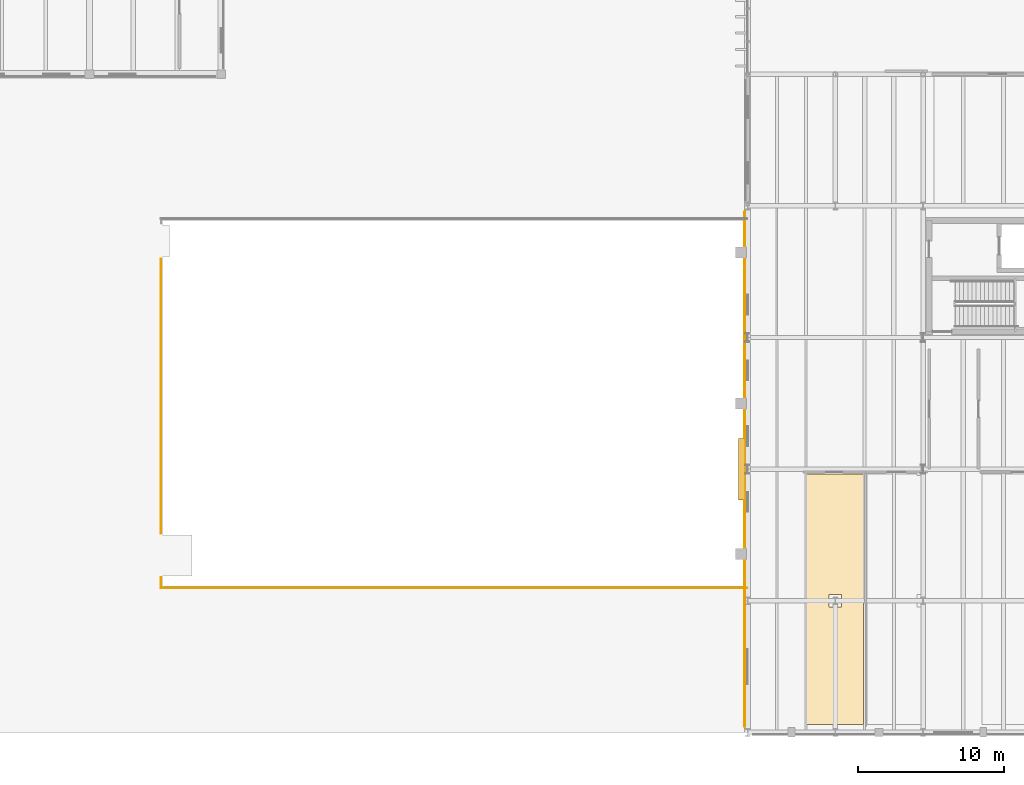
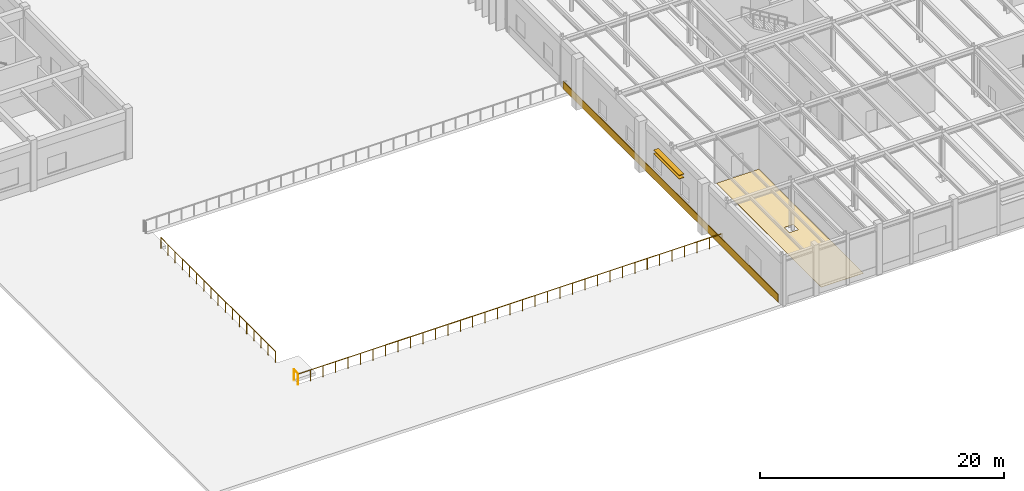
# One storey, part 49 of 64: 3 railings, 2 coverings, 2 shading devices.
"""IFC4 building model written with IfcOpenShell, lengths in metres."""

from ifc_helpers import new_model, si_unit, direction, frame, origin, origin_2d, place, context, subcontext, project, spatial, polyline, rectangle, circle, outline, extrude, material, layer, layer_set, type_object, element, save


model = new_model("IFC4")

# Units and contexts
model_context = context("Model", 3, precision=1e-05, world=origin(), true_north=direction((0.0, 1.0)))
body_context = subcontext(model_context, "Body", "Model", "MODEL_VIEW")
ifc_project = project(units=[si_unit("LENGTHUNIT", "METRE"), si_unit("AREAUNIT", "SQUARE_METRE"), si_unit("VOLUMEUNIT", "CUBIC_METRE"), si_unit("PLANEANGLEUNIT", "RADIAN"), si_unit("MASSUNIT", "GRAM", prefix="KILO")], contexts=[model_context])

# Site, building, storey
site_placement = place(None, origin())
site = spatial("IfcSite", under=ifc_project, at=site_placement, CompositionType="ELEMENT")
building_placement = place(site_placement, origin())
building = spatial("IfcBuilding", under=site, at=building_placement, Name="Montealbar Specialist Clinic", CompositionType="ELEMENT")
storey_placement = place(building_placement, origin())
storey = spatial("IfcBuildingStorey", under=building, at=storey_placement, Name="L00", CompositionType="ELEMENT", Elevation=0.0)

# Coverings
ifc_material_1 = material(Name="Guadarrama granite ashlar", Category="masonry")
ifc_layer_1 = layer(ifc_material_1, 0.06005859375, Name="Guadarrama granite ashlar", Category="masonry")
ifc_layer_set_1 = layer_set([ifc_layer_1], Name="Guadarrama granite ashlar")
covering_type_1 = type_object("IfcCoveringType", Name="COV-CLAD-GRANITE", PredefinedType="CLADDING", material=ifc_layer_set_1)
covering_1_placement = place(storey_placement, frame((53.797119140625, 18.0, 0.02978515625), z_axis=(0.0, 0.0, 1.0), x_axis=(0.0, 1.0, 0.0)))
element("IfcCovering", 1, at=covering_1_placement, inside=storey, type_object=covering_type_1, Name="Facade Plinth Cladding Band L00-002", PredefinedType="CLADDING", context=body_context, shape_type="SweptSolid", body=[
    extrude(rectangle(XDim=35.199951171875, YDim=0.06005859375, at=origin_2d()), origin(), (0.0, 0.0, 1.0), 0.780029296875),
])
ifc_material_2 = material(Name="Antimicrobial clinical linoleum", Category="wood")
ifc_layer_2 = layer(ifc_material_2, 0.02001953125, Name="Antimicrobial clinical linoleum", Category="wood")
ifc_layer_set_2 = layer_set([ifc_layer_2], Name="Antimicrobial clinical linoleum")
covering_type_2 = type_object("IfcCoveringType", Name="COV-FLR-LINOLEUM", PredefinedType="FLOORING", material=ifc_layer_set_2)
covering_2_placement = place(storey_placement, origin())
element("IfcCovering", 2, at=covering_2_placement, inside=storey, type_object=covering_type_2, Name="Clinical Flooring Specialist Consulting Room L00-01", PredefinedType="FLOORING", context=body_context, shape_type="SweptSolid", body=[
    extrude(outline(polyline([(57.929931640625, 17.669921875), (61.919921875, 17.669921875), (61.919921875, 0.530029296875), (57.929931640625, 0.530029296875), (57.929931640625, 17.669921875)]), holes=[polyline([(60.419921875, 9.419921875), (59.580078125, 9.419921875), (59.580078125, 8.580078125), (60.419921875, 8.580078125), (60.419921875, 9.419921875)])]), origin(), (0.0, 0.0, 1.0), 0.02001953125),
])

# Railings
ifc_material_3 = material(Name="Steel S355", Category="steel")
ifc_layer_3 = layer(ifc_material_3, 0.06005859375, Name="Steel S355", Category="steel")
ifc_layer_set_3 = layer_set([ifc_layer_3], Name="Steel S355")
railing_type = type_object("IfcRailingType", Name="RAIL-EXT-BAL-1100", PredefinedType="BALUSTRADE", material=ifc_layer_set_3)
railing_1_placement = place(storey_placement, frame((13.8798828125, 9.8798828125, 0.0)))
element("IfcRailing", 3, at=railing_1_placement, inside=storey, type_object=railing_type, Name="Sunken Metro Forecourt Balustrade S", PredefinedType="BALUSTRADE", context=body_context, shape_type="SweptSolid", body=[
    extrude(circle(Radius=0.02392578125, at=origin_2d()), frame((0.0, 0.0, 1.09619140625), z_axis=(1.0, 0.0, 0.0), x_axis=(0.0, 1.0, 0.0)), (0.0, 0.0, 1.0), 40.070068359375),
    extrude(circle(Radius=0.02099609375, at=origin_2d()), frame((0.0, 0.0, -0.02490234375)), (0.0, 0.0, 1.0), 1.096923828125),
    extrude(circle(Radius=0.02099609375, at=origin_2d()), frame((1.178466796875, 0.0, -0.02490234375)), (0.0, 0.0, 1.0), 1.096923828125),
    extrude(circle(Radius=0.02099609375, at=origin_2d()), frame((2.357177734375, 0.0, -0.02490234375)), (0.0, 0.0, 1.0), 1.096923828125),
    extrude(circle(Radius=0.02099609375, at=origin_2d()), frame((3.53564453125, 0.0, -0.02490234375)), (0.0, 0.0, 1.0), 1.096923828125),
    extrude(circle(Radius=0.02099609375, at=origin_2d()), frame((4.714111328125, 0.0, -0.02490234375)), (0.0, 0.0, 1.0), 1.096923828125),
    extrude(circle(Radius=0.02099609375, at=origin_2d()), frame((5.892578125, 0.0, -0.02490234375)), (0.0, 0.0, 1.0), 1.096923828125),
    extrude(circle(Radius=0.02099609375, at=origin_2d()), frame((7.0712890625, 0.0, -0.02490234375)), (0.0, 0.0, 1.0), 1.096923828125),
    extrude(circle(Radius=0.02099609375, at=origin_2d()), frame((8.249755859375, 0.0, -0.02490234375)), (0.0, 0.0, 1.0), 1.096923828125),
    extrude(circle(Radius=0.02099609375, at=origin_2d()), frame((9.42822265625, 0.0, -0.02490234375)), (0.0, 0.0, 1.0), 1.096923828125),
    extrude(circle(Radius=0.02099609375, at=origin_2d()), frame((10.606689453125, 0.0, -0.02490234375)), (0.0, 0.0, 1.0), 1.096923828125),
    extrude(circle(Radius=0.02099609375, at=origin_2d()), frame((11.785400390625, 0.0, -0.02490234375)), (0.0, 0.0, 1.0), 1.096923828125),
    extrude(circle(Radius=0.02099609375, at=origin_2d()), frame((12.9638671875, 0.0, -0.02490234375)), (0.0, 0.0, 1.0), 1.096923828125),
    extrude(circle(Radius=0.02099609375, at=origin_2d()), frame((14.142333984375, 0.0, -0.02490234375)), (0.0, 0.0, 1.0), 1.096923828125),
    extrude(circle(Radius=0.02099609375, at=origin_2d()), frame((15.32080078125, 0.0, -0.02490234375)), (0.0, 0.0, 1.0), 1.096923828125),
    extrude(circle(Radius=0.02099609375, at=origin_2d()), frame((16.49951171875, 0.0, -0.02490234375)), (0.0, 0.0, 1.0), 1.096923828125),
    extrude(circle(Radius=0.02099609375, at=origin_2d()), frame((17.677978515625, 0.0, -0.02490234375)), (0.0, 0.0, 1.0), 1.096923828125),
    extrude(circle(Radius=0.02099609375, at=origin_2d()), frame((18.8564453125, 0.0, -0.02490234375)), (0.0, 0.0, 1.0), 1.096923828125),
    extrude(circle(Radius=0.02099609375, at=origin_2d()), frame((20.03515625, 0.0, -0.02490234375)), (0.0, 0.0, 1.0), 1.096923828125),
    extrude(circle(Radius=0.02099609375, at=origin_2d()), frame((21.213623046875, 0.0, -0.02490234375)), (0.0, 0.0, 1.0), 1.096923828125),
    extrude(circle(Radius=0.02099609375, at=origin_2d()), frame((22.39208984375, 0.0, -0.02490234375)), (0.0, 0.0, 1.0), 1.096923828125),
    extrude(circle(Radius=0.02099609375, at=origin_2d()), frame((23.570556640625, 0.0, -0.02490234375)), (0.0, 0.0, 1.0), 1.096923828125),
    extrude(circle(Radius=0.02099609375, at=origin_2d()), frame((24.749267578125, 0.0, -0.02490234375)), (0.0, 0.0, 1.0), 1.096923828125),
    extrude(circle(Radius=0.02099609375, at=origin_2d()), frame((25.927734375, 0.0, -0.02490234375)), (0.0, 0.0, 1.0), 1.096923828125),
    extrude(circle(Radius=0.02099609375, at=origin_2d()), frame((27.106201171875, 0.0, -0.02490234375)), (0.0, 0.0, 1.0), 1.096923828125),
    extrude(circle(Radius=0.02099609375, at=origin_2d()), frame((28.28466796875, 0.0, -0.02490234375)), (0.0, 0.0, 1.0), 1.096923828125),
    extrude(circle(Radius=0.02099609375, at=origin_2d()), frame((29.46337890625, 0.0, -0.02490234375)), (0.0, 0.0, 1.0), 1.096923828125),
    extrude(circle(Radius=0.02099609375, at=origin_2d()), frame((30.641845703125, 0.0, -0.02490234375)), (0.0, 0.0, 1.0), 1.096923828125),
    extrude(circle(Radius=0.02099609375, at=origin_2d()), frame((31.8203125, 0.0, -0.02490234375)), (0.0, 0.0, 1.0), 1.096923828125),
    extrude(circle(Radius=0.02099609375, at=origin_2d()), frame((32.998779296875, 0.0, -0.02490234375)), (0.0, 0.0, 1.0), 1.096923828125),
    extrude(circle(Radius=0.02099609375, at=origin_2d()), frame((34.177490234375, 0.0, -0.02490234375)), (0.0, 0.0, 1.0), 1.096923828125),
    extrude(circle(Radius=0.02099609375, at=origin_2d()), frame((35.35595703125, 0.0, -0.02490234375)), (0.0, 0.0, 1.0), 1.096923828125),
    extrude(circle(Radius=0.02099609375, at=origin_2d()), frame((36.534423828125, 0.0, -0.02490234375)), (0.0, 0.0, 1.0), 1.096923828125),
    extrude(circle(Radius=0.02099609375, at=origin_2d()), frame((37.712890625, 0.0, -0.02490234375)), (0.0, 0.0, 1.0), 1.096923828125),
    extrude(circle(Radius=0.02099609375, at=origin_2d()), frame((38.8916015625, 0.0, -0.02490234375)), (0.0, 0.0, 1.0), 1.096923828125),
    extrude(circle(Radius=0.02099609375, at=origin_2d()), frame((40.070068359375, 0.0, -0.02490234375)), (0.0, 0.0, 1.0), 1.096923828125),
])
railing_2_placement = place(storey_placement, frame((13.8798828125, 13.6201171875, 0.0)))
element("IfcRailing", 4, at=railing_2_placement, inside=storey, type_object=railing_type, Name="Sunken Metro Forecourt Balustrade W-MID", PredefinedType="BALUSTRADE", context=body_context, shape_type="SweptSolid", body=[
    extrude(circle(Radius=0.02392578125, at=origin_2d()), frame((0.0, 0.0, 1.09619140625), z_axis=(0.0, 1.0, 0.0), x_axis=(-1.0, 0.0, 0.0)), (0.0, 0.0, 1.0), 18.759765625),
    extrude(circle(Radius=0.02099609375, at=origin_2d()), frame((0.0, 0.0, -0.02490234375)), (0.0, 0.0, 1.0), 1.096923828125),
    extrude(circle(Radius=0.02099609375, at=origin_2d()), frame((0.0, 1.17236328125, -0.02490234375)), (0.0, 0.0, 1.0), 1.096923828125),
    extrude(circle(Radius=0.02099609375, at=origin_2d()), frame((0.0, 2.344970703125, -0.02490234375)), (0.0, 0.0, 1.0), 1.096923828125),
    extrude(circle(Radius=0.02099609375, at=origin_2d()), frame((0.0, 3.517578125, -0.02490234375)), (0.0, 0.0, 1.0), 1.096923828125),
    extrude(circle(Radius=0.02099609375, at=origin_2d()), frame((0.0, 4.68994140625, -0.02490234375)), (0.0, 0.0, 1.0), 1.096923828125),
    extrude(circle(Radius=0.02099609375, at=origin_2d()), frame((0.0, 5.8623046875, -0.02490234375)), (0.0, 0.0, 1.0), 1.096923828125),
    extrude(circle(Radius=0.02099609375, at=origin_2d()), frame((0.0, 7.034912109375, -0.02490234375)), (0.0, 0.0, 1.0), 1.096923828125),
    extrude(circle(Radius=0.02099609375, at=origin_2d()), frame((0.0, 8.20751953125, -0.02490234375)), (0.0, 0.0, 1.0), 1.096923828125),
    extrude(circle(Radius=0.02099609375, at=origin_2d()), frame((0.0, 9.3798828125, -0.02490234375)), (0.0, 0.0, 1.0), 1.096923828125),
    extrude(circle(Radius=0.02099609375, at=origin_2d()), frame((0.0, 10.55224609375, -0.02490234375)), (0.0, 0.0, 1.0), 1.096923828125),
    extrude(circle(Radius=0.02099609375, at=origin_2d()), frame((0.0, 11.724853515625, -0.02490234375)), (0.0, 0.0, 1.0), 1.096923828125),
    extrude(circle(Radius=0.02099609375, at=origin_2d()), frame((0.0, 12.8974609375, -0.02490234375)), (0.0, 0.0, 1.0), 1.096923828125),
    extrude(circle(Radius=0.02099609375, at=origin_2d()), frame((0.0, 14.06982421875, -0.02490234375)), (0.0, 0.0, 1.0), 1.096923828125),
    extrude(circle(Radius=0.02099609375, at=origin_2d()), frame((0.0, 15.2421875, -0.02490234375)), (0.0, 0.0, 1.0), 1.096923828125),
    extrude(circle(Radius=0.02099609375, at=origin_2d()), frame((0.0, 16.414794921875, -0.02490234375)), (0.0, 0.0, 1.0), 1.096923828125),
    extrude(circle(Radius=0.02099609375, at=origin_2d()), frame((0.0, 17.58740234375, -0.02490234375)), (0.0, 0.0, 1.0), 1.096923828125),
    extrude(circle(Radius=0.02099609375, at=origin_2d()), frame((0.0, 18.759765625, -0.02490234375)), (0.0, 0.0, 1.0), 1.096923828125),
])
railing_3_placement = place(storey_placement, frame((13.8798828125, 9.8798828125, 0.0)))
element("IfcRailing", 5, at=railing_3_placement, inside=storey, type_object=railing_type, Name="Sunken Metro Forecourt Balustrade W-S", PredefinedType="BALUSTRADE", context=body_context, shape_type="SweptSolid", body=[
    extrude(circle(Radius=0.02392578125, at=origin_2d()), frame((0.0, 0.0, 1.09619140625), z_axis=(0.0, 1.0, 0.0), x_axis=(-1.0, 0.0, 0.0)), (0.0, 0.0, 1.0), 0.72021484375),
    extrude(circle(Radius=0.02099609375, at=origin_2d()), frame((0.0, 0.0, -0.02490234375)), (0.0, 0.0, 1.0), 1.096923828125),
    extrude(circle(Radius=0.02099609375, at=origin_2d()), frame((0.0, 0.72021484375, -0.02490234375)), (0.0, 0.0, 1.0), 1.096923828125),
])

# Shading devices
ifc_material_4 = material(Name="Powder-coated aluminium", Category="aluminium")
ifc_layer_4 = layer(ifc_material_4, 0.050048828125, Name="Powder-coated aluminium", Category="aluminium")
ifc_layer_set_4 = layer_set([ifc_layer_4], Name="Powder-coated aluminium")
shading_device_type = type_object("IfcShadingDeviceType", Name="SHD-LOUVRE-450", PredefinedType="JALOUSIE", material=ifc_layer_set_4)
for number, where, z_axis, x_axis, name in (
    (6, (53.60498046875, 18.0, 3.0751953125), (0.0, 0.0, 1.0), (0.0, 1.0, 0.0), "Entrance Canopy Sun Louvre LV-03"),
    (7, (53.60498046875, 18.0, 3.4248046875), (0.0, 0.0, 1.0), (0.0, 1.0, 0.0), "Entrance Canopy Sun Louvre LV-04"),
):
    element("IfcShadingDevice", number, at=place(storey_placement, frame(where, z_axis=z_axis, x_axis=x_axis)), inside=storey, type_object=shading_device_type, Name=name, PredefinedType="JALOUSIE", context=body_context, shape_type="SweptSolid", body=[
        extrude(rectangle(XDim=4.199951171875, YDim=0.449951171875, at=origin_2d()), origin(), (0.0, 0.0, 1.0), 0.050048828125),
    ])

save(model, "model.ifc")
